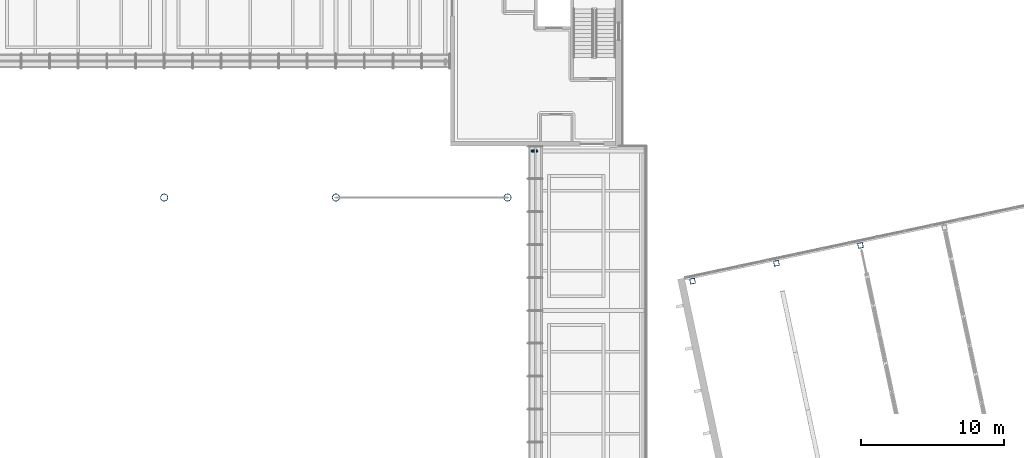
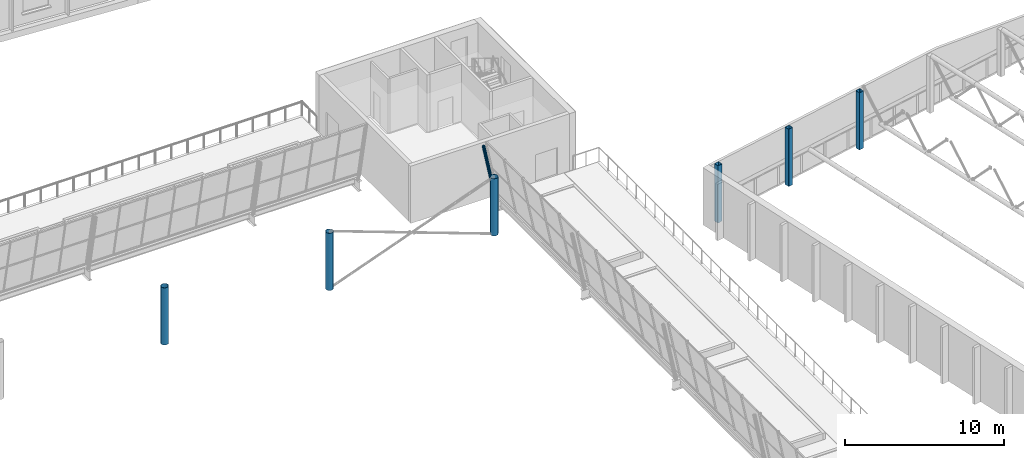
# One storey, part 6 of 58: 7 columns.
"""IFC4 building model written with IfcOpenShell, lengths in metres."""

from ifc_helpers import new_model, si_unit, direction, frame, origin, origin_2d, place, context, subcontext, project, spatial, hollow_rectangle, hollow_circle, extrude, material, material_profile, profile_set, type_object, element, save


model = new_model("IFC4")

# Units and contexts
model_context = context("Model", 3, precision=1e-05, world=origin(), true_north=direction((0.0, 1.0)))
body_context = subcontext(model_context, "Body", "Model", "MODEL_VIEW")
ifc_project = project(units=[si_unit("LENGTHUNIT", "METRE"), si_unit("AREAUNIT", "SQUARE_METRE"), si_unit("VOLUMEUNIT", "CUBIC_METRE"), si_unit("PLANEANGLEUNIT", "RADIAN"), si_unit("MASSUNIT", "GRAM", prefix="KILO")], contexts=[model_context])

# Site, building, storey
site_placement = place(None, origin())
site = spatial("IfcSite", under=ifc_project, at=site_placement, CompositionType="ELEMENT")
building_placement = place(site_placement, origin())
building = spatial("IfcBuilding", under=site, at=building_placement, Name="Windward Yard Aquatics Centre", CompositionType="ELEMENT")
storey_placement = place(building_placement, frame((0.0, 0.0, 13.800048828125)))
storey = spatial("IfcBuildingStorey", under=building, at=storey_placement, Name="L03", CompositionType="ELEMENT", Elevation=13.800048828125)

# Columns
ifc_material = material(Name="Steel ASTM A500 Gr C", Category="steel")
ifc_material_profile_1 = material_profile(ifc_material, hollow_rectangle(XDim=0.355712890625, YDim=0.355712890625, WallThickness=0.015869140625, InnerFilletRadius=0.008056640625, OuterFilletRadius=0.02392578125, at=origin_2d()), Name="HSS356X356X15.9")
ifc_profile_set_1 = profile_set([ifc_material_profile_1], Name="Steel ASTM A500 Gr C")
column_type_1 = type_object("IfcColumnType", Name="D column HSS356X356X15.9", PredefinedType="COLUMN", material=ifc_profile_set_1)
for number, where, z_axis, x_axis, name in (
    (1, (156.929443359375, 74.553466796875, 0.0), (0.0, 0.0, 1.0), (0.978147600734, 0.207911690818, 0.0), "D.COL.1.2.5"),
    (2, (162.79833984375, 75.801025390625, 0.0), (0.0, 0.0, 1.0), (0.978147600734, 0.207911690818, 0.0), "D.COL.2.2.5"),
    (3, (168.667236328125, 77.048583984375, 0.0), (0.0, 0.0, 1.0), (0.978147600734, 0.207911690818, 0.0), "D.COL.3.2.5"),
):
    element("IfcColumn", number, at=place(storey_placement, frame(where, z_axis=z_axis, x_axis=x_axis)), inside=storey, type_object=column_type_1, Name=name, PredefinedType="COLUMN", context=body_context, shape_type="SweptSolid", body=[
        extrude(hollow_rectangle(XDim=0.355712890625, YDim=0.355712890625, WallThickness=0.015869140625, InnerFilletRadius=0.008056640625, OuterFilletRadius=0.02392578125, at=origin_2d()), origin(), (0.0, 0.0, 1.0), 4.39990234375),
    ])
ifc_material_profile_2 = material_profile(ifc_material, hollow_circle(Radius=0.25390625, WallThickness=0.015869140625, at=origin_2d()), Name="HSS508X15.9")
ifc_profile_set_2 = profile_set([ifc_material_profile_2], Name="Steel ASTM A500 Gr C")
column_type_2 = type_object("IfcColumnType", Name="H arch column HSS508X15.9", PredefinedType="COLUMN", material=ifc_profile_set_2)
for number, where, z_axis, x_axis, name in (
    (4, (120.0, 80.39990234375, 0.0), (0.0, 0.0, 1.0), (1.0, 0.0, 0.0), "H.AC.N6.L03"),
    (5, (132.0, 80.39990234375, 0.0), (0.0, 0.0, 1.0), (1.0, 0.0, 0.0), "H.AC.N7.L03"),
    (6, (144.0, 80.39990234375, 0.0), (0.0, 0.0, 1.0), (1.0, 0.0, 0.0), "H.AC.N8.L03"),
):
    element("IfcColumn", number, at=place(storey_placement, frame(where, z_axis=z_axis, x_axis=x_axis)), inside=storey, type_object=column_type_2, Name=name, PredefinedType="COLUMN", context=body_context, shape_type="SweptSolid", body=[
        extrude(hollow_circle(Radius=0.25390625, WallThickness=0.015869140625, at=origin_2d()), origin(), (0.0, 0.0, 1.0), 4.39990234375),
    ])
ifc_material_profile_3 = material_profile(ifc_material, hollow_circle(Radius=0.109619140625, WallThickness=0.0126953125, at=origin_2d()), Name="HSS219.1X12.7")
ifc_profile_set_3 = profile_set([ifc_material_profile_3], Name="Steel ASTM A500 Gr C")
column_type_3 = type_object("IfcColumnType", Name="H tier 2 leg HSS219.1X12.7", PredefinedType="COLUMN", material=ifc_profile_set_3)
column_placement = place(storey_placement, frame((146.016357421875, 83.64990234375, -0.128173828125), z_axis=(-0.199346128659, 0.0, 0.9799291408), x_axis=(0.0, -1.0, 0.0)))
element("IfcColumn", 7, at=column_placement, inside=storey, type_object=column_type_3, Name="H.TL.E5.T2A.L03", PredefinedType="COLUMN", context=body_context, shape_type="SweptSolid", body=[
    extrude(hollow_circle(Radius=0.109619140625, WallThickness=0.0126953125, at=origin_2d()), origin(), (0.0, 0.0, 1.0), 4.620849609375),
])

save(model, "model.ifc")
